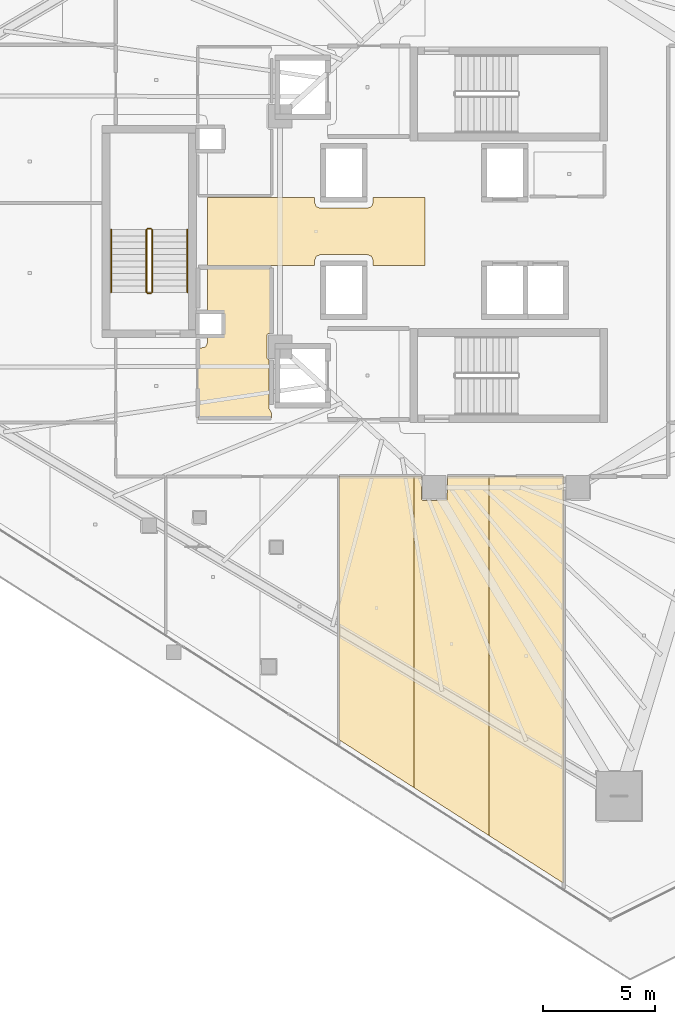
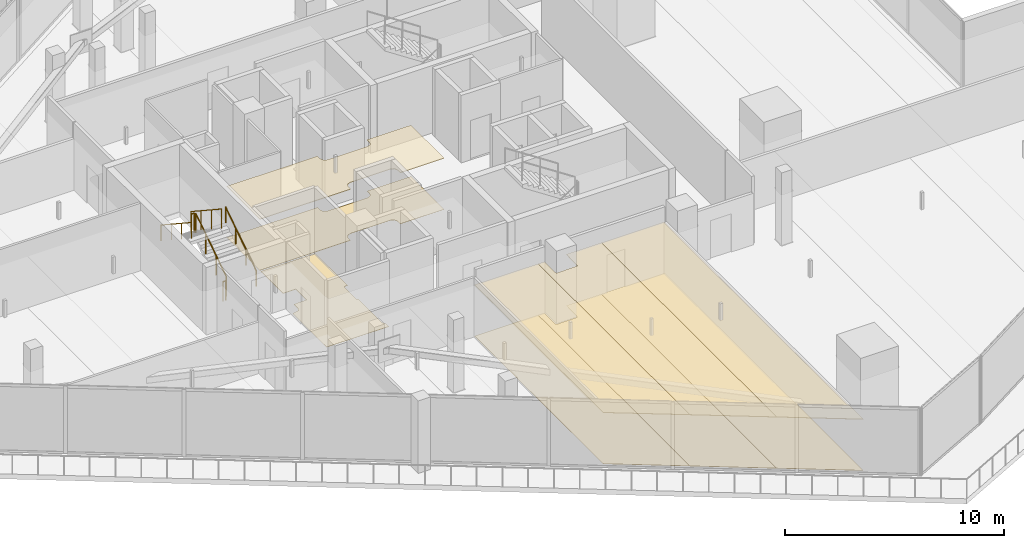
# One storey, part 38 of 45: 9 coverings, 6 railings.
"""IFC4 building model written with IfcOpenShell, lengths in metres."""

from ifc_helpers import new_model, si_unit, direction, frame, origin, origin_2d, place, context, subcontext, project, spatial, polyline, circle, outline, extrude, material, layer, layer_set, type_object, element, save


model = new_model("IFC4")

# Units and contexts
model_context = context("Model", 3, precision=1e-05, world=origin(), true_north=direction((0.0, 1.0)))
body_context = subcontext(model_context, "Body", "Model", "MODEL_VIEW")
ifc_project = project(units=[si_unit("LENGTHUNIT", "METRE"), si_unit("AREAUNIT", "SQUARE_METRE"), si_unit("VOLUMEUNIT", "CUBIC_METRE"), si_unit("PLANEANGLEUNIT", "RADIAN"), si_unit("MASSUNIT", "GRAM", prefix="KILO")], contexts=[model_context])

# Site, building, storey
site_placement = place(None, origin())
site = spatial("IfcSite", under=ifc_project, at=site_placement, CompositionType="ELEMENT")
building_placement = place(site_placement, origin())
building = spatial("IfcBuilding", under=site, at=building_placement, Name="Qorvath Tower", CompositionType="ELEMENT")
storey_placement = place(building_placement, frame((0.0, 0.0, 126.0)))
storey = spatial("IfcBuildingStorey", under=building, at=storey_placement, Name="L28", CompositionType="ELEMENT", Elevation=126.0)

# Coverings
ifc_material_1 = material(Name="Acoustic mineral fibre ceiling tile", Category="gypsum")
ifc_layer_1 = layer(ifc_material_1, 0.030029296875)
ifc_layer_set_1 = layer_set([ifc_layer_1], Name="COV-CEIL")
covering_type_1 = type_object("IfcCoveringType", Name="COV-CEIL", PredefinedType="CEILING", material=ifc_layer_set_1)
covering_1_placement = place(storey_placement, frame((0.0, 0.0, 2.85009765625)))
element("IfcCovering", 1, at=covering_1_placement, inside=storey, type_object=covering_type_1, Name="L28 Suspended Acoustic Ceiling 008", PredefinedType="CEILING", context=body_context, shape_type="SweptSolid", body=[
    extrude(outline(polyline([(-24.02001953125, -1.514892578125), (-24.02001953125, 1.514892578125), (-26.340087890625, 1.514892578125), (-26.340087890625, 1.2900390625), (-26.413330078125, 1.11328125), (-26.590087890625, 1.0400390625), (-28.7099609375, 1.0400390625), (-28.88671875, 1.11328125), (-28.9599609375, 1.2900390625), (-28.9599609375, 1.514892578125), (-33.760009765625, 1.514892578125), (-33.760009765625, -1.514892578125), (-28.9599609375, -1.514892578125), (-28.9599609375, -1.2900390625), (-28.88671875, -1.11328125), (-28.7099609375, -1.0400390625), (-26.590087890625, -1.0400390625), (-26.413330078125, -1.11328125), (-26.340087890625, -1.2900390625), (-26.340087890625, -1.514892578125), (-24.02001953125, -1.514892578125)])), origin(), (0.0, 0.0, 1.0), 0.030029296875),
])
covering_2_placement = place(storey_placement, frame((0.0, 0.0, 2.85009765625)))
element("IfcCovering", 2, at=covering_2_placement, inside=storey, type_object=covering_type_1, Name="L28 Suspended Acoustic Ceiling 019", PredefinedType="CEILING", context=body_context, shape_type="SweptSolid", body=[
    extrude(outline(polyline([(-24.517578125, -24.874755859375), (-24.517578125, -10.962890625), (-27.86572265625, -10.962890625), (-27.86572265625, -22.73486328125), (-24.517578125, -24.874755859375)])), origin(), (0.0, 0.0, 1.0), 0.030029296875),
])
covering_3_placement = place(storey_placement, frame((0.0, 0.0, 2.85009765625)))
element("IfcCovering", 3, at=covering_3_placement, inside=storey, type_object=covering_type_1, Name="L28 Suspended Acoustic Ceiling 020", PredefinedType="CEILING", context=body_context, shape_type="SweptSolid", body=[
    extrude(outline(polyline([(-21.16943359375, -27.0146484375), (-21.16943359375, -10.962890625), (-23.014892578125, -10.962890625), (-23.032470703125, -12.017333984375), (-24.125, -12.034912109375), (-24.18505859375, -11.97509765625), (-24.18505859375, -10.962890625), (-24.517578125, -10.962890625), (-24.517578125, -24.874755859375), (-21.16943359375, -27.0146484375)])), origin(), (0.0, 0.0, 1.0), 0.030029296875),
])
covering_4_placement = place(storey_placement, frame((0.0, 0.0, 2.85009765625)))
element("IfcCovering", 4, at=covering_4_placement, inside=storey, type_object=covering_type_1, Name="L28 Suspended Acoustic Ceiling 021", PredefinedType="CEILING", context=body_context, shape_type="SweptSolid", body=[
    extrude(outline(polyline([(-17.8212890625, -29.154541015625), (-17.8212890625, -10.962890625), (-21.16943359375, -10.962890625), (-21.16943359375, -27.0146484375), (-17.8212890625, -29.154541015625)])), origin(), (0.0, 0.0, 1.0), 0.030029296875),
])
ifc_material_2 = material(Name="Low-VOC modular carpet tile", Category="textile")
ifc_layer_2 = layer(ifc_material_2, 0.014892578125)
ifc_layer_set_2 = layer_set([ifc_layer_2], Name="COV-FLOOR-CPT")
covering_type_2 = type_object("IfcCoveringType", Name="COV-FLOOR-CPT", PredefinedType="FLOORING", material=ifc_layer_set_2)
covering_5_placement = place(storey_placement, origin())
element("IfcCovering", 5, at=covering_5_placement, inside=storey, type_object=covering_type_2, Name="L28 Floor Finish 005", PredefinedType="FLOORING", context=body_context, shape_type="SweptSolid", body=[
    extrude(outline(polyline([(-30.885009765625, -1.60498046875), (-33.760009765625, -1.60498046875), (-33.760009765625, -3.636962890625), (-33.08837890625, -3.638427734375), (-33.0869140625, -4.6279296875), (-33.760009765625, -4.633056640625), (-33.760009765625, -4.989990234375), (-33.833251953125, -5.166748046875), (-34.175048828125, -5.239990234375), (-34.175048828125, -8.344970703125), (-30.885009765625, -8.344970703125), (-30.885009765625, -8.108154296875), (-31.010009765625, -7.909912109375), (-31.010009765625, -5.735107421875), (-31.0849609375, -5.675048828125), (-31.0849609375, -4.625), (-31.02490234375, -4.56494140625), (-30.885009765625, -4.56494140625), (-30.885009765625, -1.60498046875)])), origin(), (0.0, 0.0, 1.0), 0.014892578125),
])
covering_6_placement = place(storey_placement, origin())
element("IfcCovering", 6, at=covering_6_placement, inside=storey, type_object=covering_type_2, Name="L28 Floor Finish 019", PredefinedType="FLOORING", context=body_context, shape_type="SweptSolid", body=[
    extrude(outline(polyline([(-24.517578125, -24.874755859375), (-24.517578125, -10.962890625), (-27.86572265625, -10.962890625), (-27.86572265625, -22.73486328125), (-24.517578125, -24.874755859375)])), origin(), (0.0, 0.0, 1.0), 0.014892578125),
])
covering_7_placement = place(storey_placement, origin())
element("IfcCovering", 7, at=covering_7_placement, inside=storey, type_object=covering_type_2, Name="L28 Floor Finish 020", PredefinedType="FLOORING", context=body_context, shape_type="SweptSolid", body=[
    extrude(outline(polyline([(-21.16943359375, -27.0146484375), (-21.16943359375, -10.962890625), (-23.014892578125, -10.962890625), (-23.032470703125, -12.017333984375), (-24.125, -12.034912109375), (-24.18505859375, -11.97509765625), (-24.18505859375, -10.962890625), (-24.517578125, -10.962890625), (-24.517578125, -24.874755859375), (-21.16943359375, -27.0146484375)])), origin(), (0.0, 0.0, 1.0), 0.014892578125),
])
covering_8_placement = place(storey_placement, origin())
element("IfcCovering", 8, at=covering_8_placement, inside=storey, type_object=covering_type_2, Name="L28 Floor Finish 021", PredefinedType="FLOORING", context=body_context, shape_type="SweptSolid", body=[
    extrude(outline(polyline([(-17.8212890625, -29.154541015625), (-17.8212890625, -10.962890625), (-21.16943359375, -10.962890625), (-21.16943359375, -27.0146484375), (-17.8212890625, -29.154541015625)])), origin(), (0.0, 0.0, 1.0), 0.014892578125),
])
ifc_material_3 = material(Name="Polished epoxy terrazzo flooring", Category="concrete")
ifc_layer_3 = layer(ifc_material_3, 0.02001953125)
ifc_layer_set_3 = layer_set([ifc_layer_3], Name="COV-FLOOR-TRZ")
covering_type_3 = type_object("IfcCoveringType", Name="COV-FLOOR-TRZ", PredefinedType="FLOORING", material=ifc_layer_set_3)
covering_9_placement = place(storey_placement, origin())
element("IfcCovering", 9, at=covering_9_placement, inside=storey, type_object=covering_type_3, Name="L28 Floor Finish 008", PredefinedType="FLOORING", context=body_context, shape_type="SweptSolid", body=[
    extrude(outline(polyline([(-24.02001953125, -1.514892578125), (-24.02001953125, 1.514892578125), (-26.340087890625, 1.514892578125), (-26.340087890625, 1.2900390625), (-26.413330078125, 1.11328125), (-26.590087890625, 1.0400390625), (-28.7099609375, 1.0400390625), (-28.88671875, 1.11328125), (-28.9599609375, 1.2900390625), (-28.9599609375, 1.514892578125), (-33.760009765625, 1.514892578125), (-33.760009765625, -1.514892578125), (-28.9599609375, -1.514892578125), (-28.9599609375, -1.2900390625), (-28.88671875, -1.11328125), (-28.7099609375, -1.0400390625), (-26.590087890625, -1.0400390625), (-26.413330078125, -1.11328125), (-26.340087890625, -1.2900390625), (-26.340087890625, -1.514892578125), (-24.02001953125, -1.514892578125)])), origin(), (0.0, 0.0, 1.0), 0.014892578125),
])

# Railings
ifc_material_4 = material(Name="Painted galvanised steel", Category="steel")
railing_type_1 = type_object("IfcRailingType", Name="RL-STR-GRD", PredefinedType="GUARDRAIL", material=ifc_material_4)
railing_1_placement = place(storey_placement, frame((-36.22998046875, -2.719970703125, 0.18408203125)))
element("IfcRailing", 10, at=railing_1_placement, inside=storey, type_object=railing_type_1, Name="L28 TS3 stair guard 1", PredefinedType="GUARDRAIL", context=body_context, shape_type="SweptSolid", body=[
    extrude(circle(Radius=0.02392578125, at=origin_2d()), frame((0.0, 0.0, 1.076171875), z_axis=(0.0, 0.835597507184, 0.549342157483), x_axis=(-1.0, 0.0, 0.0)), (0.0, 0.0, 1.0), 3.35107421875),
    extrude(circle(Radius=0.02099609375, at=origin_2d()), origin(), (0.0, 0.0, 1.0), 1.052001953125),
    extrude(circle(Radius=0.02099609375, at=origin_2d()), frame((0.0, 0.933349609375, 0.613525390625)), (0.0, 0.0, 1.0), 1.052001953125),
    extrude(circle(Radius=0.02099609375, at=origin_2d()), frame((0.0, 1.86669921875, 1.227294921875)), (0.0, 0.0, 1.0), 1.052001953125),
    extrude(circle(Radius=0.02099609375, at=origin_2d()), frame((0.0, 2.800048828125, 1.8408203125)), (0.0, 0.0, 1.0), 1.052001953125),
])
railing_2_placement = place(storey_placement, frame((-36.280029296875, 0.1298828125, 2.02490234375)))
element("IfcRailing", 11, at=railing_2_placement, inside=storey, type_object=railing_type_1, Name="L28 TS3 stair guard 2", PredefinedType="GUARDRAIL", context=body_context, shape_type="SweptSolid", body=[
    extrude(circle(Radius=0.02392578125, at=origin_2d()), frame((0.0, 0.0, 1.076171875), z_axis=(-1.0, 0.0, 0.0), x_axis=(0.0, -1.0, 0.0)), (0.0, 0.0, 1.0), 0.14990234375),
    extrude(circle(Radius=0.02099609375, at=origin_2d()), origin(), (0.0, 0.0, 1.0), 1.052001953125),
    extrude(circle(Radius=0.02099609375, at=origin_2d()), frame((-0.14990234375, 0.0, 0.0)), (0.0, 0.0, 1.0), 1.052001953125),
])
railing_3_placement = place(storey_placement, frame((-36.47998046875, 0.080078125, 2.208984375)))
element("IfcRailing", 12, at=railing_3_placement, inside=storey, type_object=railing_type_1, Name="L28 TS3 stair guard 3", PredefinedType="GUARDRAIL", context=body_context, shape_type="SweptSolid", body=[
    extrude(circle(Radius=0.02392578125, at=origin_2d()), frame((0.0, 0.0, 1.076171875), z_axis=(0.0, -0.83556406348, 0.549393024911), x_axis=(1.0, 0.0, 0.0)), (0.0, 0.0, 1.0), 3.35107421875),
    extrude(circle(Radius=0.02099609375, at=origin_2d()), origin(), (0.0, 0.0, 1.0), 1.052001953125),
    extrude(circle(Radius=0.02099609375, at=origin_2d()), frame((0.0, -0.933349609375, 0.61376953125)), (0.0, 0.0, 1.0), 1.052001953125),
    extrude(circle(Radius=0.02099609375, at=origin_2d()), frame((0.0, -1.86669921875, 1.227294921875)), (0.0, 0.0, 1.0), 1.052001953125),
    extrude(circle(Radius=0.02099609375, at=origin_2d()), frame((0.0, -2.800048828125, 1.841064453125)), (0.0, 0.0, 1.0), 1.052001953125),
])
railing_4_placement = place(storey_placement, frame((-36.280029296875, -2.77001953125, 0.0)))
element("IfcRailing", 13, at=railing_4_placement, inside=storey, type_object=railing_type_1, Name="L28 TS3 stair guard 4", PredefinedType="GUARDRAIL", context=body_context, shape_type="SweptSolid", body=[
    extrude(circle(Radius=0.02392578125, at=origin_2d()), frame((0.0, 0.0, 1.076171875), z_axis=(-1.0, 0.0, 0.0), x_axis=(0.0, -1.0, 0.0)), (0.0, 0.0, 1.0), 0.14990234375),
    extrude(circle(Radius=0.02099609375, at=origin_2d()), origin(), (0.0, 0.0, 1.0), 1.052001953125),
    extrude(circle(Radius=0.02099609375, at=origin_2d()), frame((-0.14990234375, 0.0, 0.0)), (0.0, 0.0, 1.0), 1.052001953125),
])
ifc_material_5 = material(Name="Brushed stainless steel AISI 304", Category="steel")
railing_type_2 = type_object("IfcRailingType", Name="RL-STR-HND", PredefinedType="HANDRAIL", material=ifc_material_5)
railing_5_placement = place(storey_placement, frame((-34.64990234375, -2.719970703125, 0.18408203125)))
element("IfcRailing", 14, at=railing_5_placement, inside=storey, type_object=railing_type_2, Name="L28 TS3 stair handrail 1", PredefinedType="HANDRAIL", context=body_context, shape_type="SweptSolid", body=[
    extrude(circle(Radius=0.02392578125, at=origin_2d()), frame((0.0, 0.0, 0.8759765625), z_axis=(0.0, 0.835597507184, 0.549342157483), x_axis=(-1.0, 0.0, 0.0)), (0.0, 0.0, 1.0), 3.35107421875),
    extrude(circle(Radius=0.02099609375, at=origin_2d()), origin(), (0.0, 0.0, 1.0), 0.851806640625),
    extrude(circle(Radius=0.02099609375, at=origin_2d()), frame((0.0, 0.933349609375, 0.613525390625)), (0.0, 0.0, 1.0), 0.851806640625),
    extrude(circle(Radius=0.02099609375, at=origin_2d()), frame((0.0, 1.86669921875, 1.227294921875)), (0.0, 0.0, 1.0), 0.851806640625),
    extrude(circle(Radius=0.02099609375, at=origin_2d()), frame((0.0, 2.800048828125, 1.8408203125)), (0.0, 0.0, 1.0), 0.851806640625),
])
railing_6_placement = place(storey_placement, frame((-38.06005859375, 0.080078125, 2.208984375)))
element("IfcRailing", 15, at=railing_6_placement, inside=storey, type_object=railing_type_2, Name="L28 TS3 stair handrail 2", PredefinedType="HANDRAIL", context=body_context, shape_type="SweptSolid", body=[
    extrude(circle(Radius=0.02392578125, at=origin_2d()), frame((0.0, 0.0, 0.8759765625), z_axis=(0.0, -0.83556406348, 0.549393024911), x_axis=(1.0, 0.0, 0.0)), (0.0, 0.0, 1.0), 3.35107421875),
    extrude(circle(Radius=0.02099609375, at=origin_2d()), origin(), (0.0, 0.0, 1.0), 0.851806640625),
    extrude(circle(Radius=0.02099609375, at=origin_2d()), frame((0.0, -0.933349609375, 0.61376953125)), (0.0, 0.0, 1.0), 0.851806640625),
    extrude(circle(Radius=0.02099609375, at=origin_2d()), frame((0.0, -1.86669921875, 1.227294921875)), (0.0, 0.0, 1.0), 0.851806640625),
    extrude(circle(Radius=0.02099609375, at=origin_2d()), frame((0.0, -2.800048828125, 1.841064453125)), (0.0, 0.0, 1.0), 0.851806640625),
])

save(model, "model.ifc")
